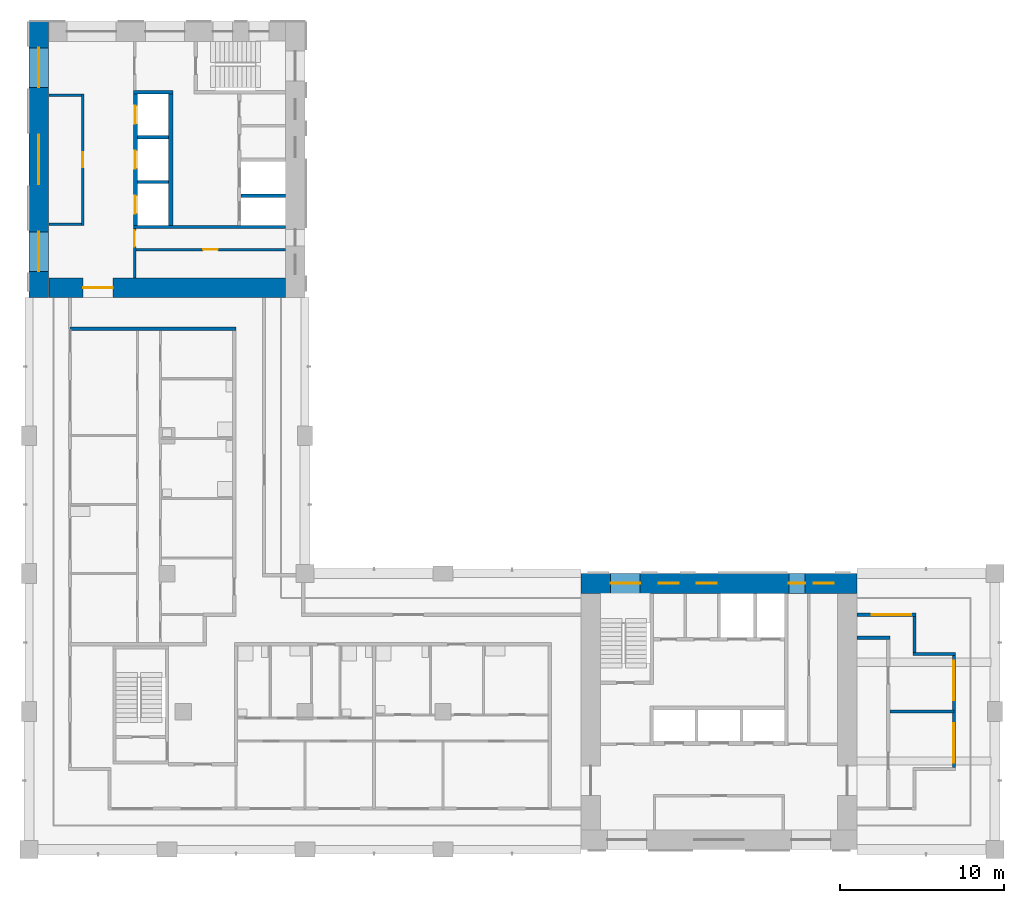
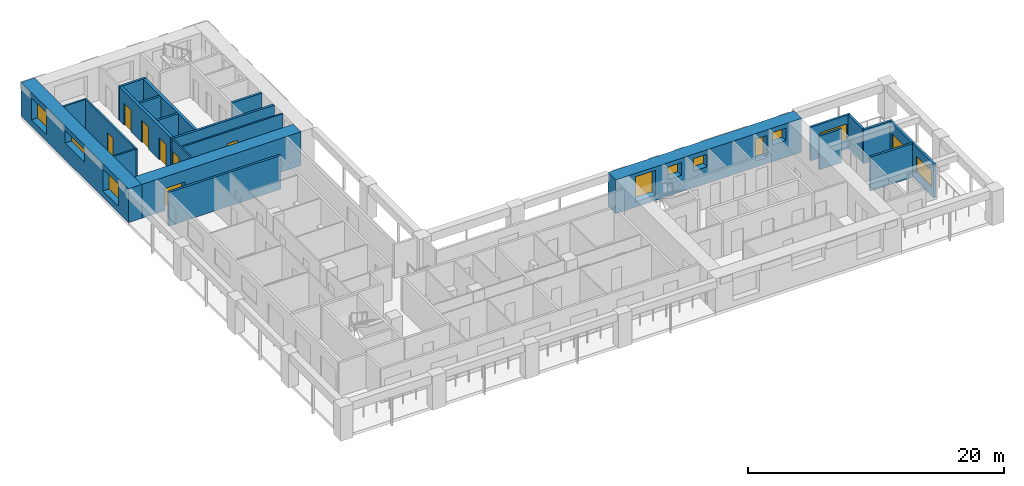
# One storey, part 5 of 10: 22 walls, 10 windows, 8 doors, 18 openings.
"""IFC4 building model written with IfcOpenShell, lengths in metres."""

from ifc_helpers import new_model, si_unit, direction, frame, frame_2d, origin, place, context, subcontext, project, spatial, rectangle, extrude, material, layer, layer_set, type_object, element, fill, save


model = new_model("IFC4")

# Units and contexts
model_context = context("Model", 3, precision=1e-05, world=origin(), true_north=direction((0.0, 1.0)))
body_context = subcontext(model_context, "Body", "Model", "MODEL_VIEW")
ifc_project = project(units=[si_unit("LENGTHUNIT", "METRE"), si_unit("AREAUNIT", "SQUARE_METRE"), si_unit("VOLUMEUNIT", "CUBIC_METRE"), si_unit("PLANEANGLEUNIT", "RADIAN"), si_unit("MASSUNIT", "GRAM", prefix="KILO")], contexts=[model_context])

# Site, building, storey
site_placement = place(None, origin())
site = spatial("IfcSite", under=ifc_project, at=site_placement, CompositionType="ELEMENT")
building_placement = place(site_placement, origin())
building = spatial("IfcBuilding", under=site, at=building_placement, Name="Vermilion Gate Residences", CompositionType="ELEMENT")
storey_placement = place(building_placement, frame((0.0, 0.0, 168.699951171875)))
storey = spatial("IfcBuildingStorey", under=building, at=storey_placement, Name="L43", CompositionType="ELEMENT", Elevation=168.699951171875)

# Walls
ifc_material_1 = material(Name="Masonry blockwork", Category="masonry")
ifc_layer_1 = layer(ifc_material_1, 0.14990234375)
ifc_layer_set_1 = layer_set([ifc_layer_1], Name="BLOCKWORK PARTITION 150 EI 120")
wall_type_1 = type_object("IfcWallType", Name="BLOCKWORK PARTITION 150 EI 120", PredefinedType="PARTITIONING", material=ifc_layer_set_1)
for number, where, z_axis, x_axis, name in (
    (1, (9.60009765625, 54.324951171875, 0.0), (0.0, 0.0, 1.0), (1.0, 0.0, 0.0), "Core room partition B43-RW-W"),
    (2, (9.60009765625, 46.47509765625, 0.0), (0.0, 0.0, 1.0), (1.0, 0.0, 0.0), "Core room partition B43-RW-E"),
):
    element("IfcWall", number, at=place(storey_placement, frame(where, z_axis=z_axis, x_axis=x_axis)), inside=storey, type_object=wall_type_1, Name=name, PredefinedType="PARTITIONING", context=body_context, shape_type="SweptSolid", body=[
        extrude(rectangle(XDim=2.0, YDim=0.14990234375, at=frame_2d((1.0, 0.0))), origin(), (0.0, 0.0, 1.0), 3.219970703125),
    ])

# Wall, opening, door
wall_1_placement = place(storey_placement, frame((11.675048828125, 54.39990234375, 0.0), z_axis=(0.0, 0.0, 1.0), x_axis=(0.0, -1.0, 0.0)))
wall_1 = element("IfcWall", 3, at=wall_1_placement, inside=storey, type_object=wall_type_1, Name="Core room partition B43-LR-F", PredefinedType="PARTITIONING", context=body_context, shape_type="SweptSolid", body=[
    extrude(rectangle(XDim=8.0, YDim=0.14990234375, at=frame_2d((4.0, 0.0))), origin(), (0.0, 0.0, 1.0), 3.219970703125),
])
opening_1_placement = place(wall_1_placement, frame((3.550048828125, 0.0, 0.0)))
opening_1 = element("IfcOpeningElement", 4, at=opening_1_placement, cuts=wall_1, Name="Opening DK43102", PredefinedType="OPENING", context=body_context, shape_type="SweptSolid", body=[
    extrude(rectangle(XDim=0.89990234375, YDim=2.10009765625, at=frame_2d((0.449951171875, 1.050048828125))), frame((0.0, 0.0849609375, 0.0), z_axis=(0.0, -1.0, 0.0), x_axis=(1.0, 0.0, 0.0)), (0.0, 0.0, 1.0), 0.169921875),
])
ifc_material_2 = material(Name="Steel", Category="steel")
door_type_1 = type_object("IfcDoorType", Name="SERVICE ROOM DOOR FD60 900 X 2100", OperationType="SINGLE_SWING_LEFT", PredefinedType="DOOR", material=ifc_material_2)
door_1_placement = place(opening_1_placement, frame((0.89990234375, 0.0, 0.0), z_axis=(0.0, 0.0, 1.0), x_axis=(-1.0, 0.0, 0.0)))
door_1 = element("IfcDoor", 5, at=door_1_placement, inside=storey, type_object=door_type_1, Name="Housekeeping store B43", OperationType="SINGLE_SWING_RIGHT", OverallHeight=2.10009765625, OverallWidth=0.89990234375, PredefinedType="DOOR", context=body_context, shape_type="SweptSolid", body=[
    extrude(rectangle(XDim=0.89990234375, YDim=2.10009765625, at=frame_2d((0.449951171875, 1.050048828125))), frame((0.0, 0.02490234375, 0.0), z_axis=(0.0, -1.0, 0.0), x_axis=(1.0, 0.0, 0.0)), (0.0, 0.0, 1.0), 0.050048828125),
])
fill(opening_1, door_1)

wall_2_placement = place(storey_placement, frame((14.824951171875, 46.199951171875, 0.0), z_axis=(0.0, 0.0, 1.0), x_axis=(0.0, -1.0, 0.0)))
wall_2 = element("IfcWall", 6, at=wall_2_placement, inside=storey, type_object=wall_type_1, Name="Core room partition B43-ES-S", PredefinedType="PARTITIONING", context=body_context, shape_type="SweptSolid", body=[
    extrude(rectangle(XDim=3.0, YDim=0.14990234375, at=frame_2d((1.5, 0.0))), origin(), (0.0, 0.0, 1.0), 3.219970703125),
])
opening_2_placement = place(wall_2_placement, frame((0.10009765625, 0.0, 0.0)))
opening_2 = element("IfcOpeningElement", 7, at=opening_2_placement, cuts=wall_2, Name="Opening DK43112", PredefinedType="OPENING", context=body_context, shape_type="SweptSolid", body=[
    extrude(rectangle(XDim=1.0, YDim=2.10009765625, at=frame_2d((0.5, 1.050048828125))), frame((0.0, 0.0849609375, 0.0), z_axis=(0.0, -1.0, 0.0), x_axis=(1.0, 0.0, 0.0)), (0.0, 0.0, 1.0), 0.169921875),
])
ifc_material_3 = material(Name="Steel", Category="steel")
door_type_2 = type_object("IfcDoorType", Name="FIRE DOOR FD60 1000 X 2100", OperationType="SINGLE_SWING_LEFT", PredefinedType="DOOR", material=ifc_material_3)
door_2_placement = place(opening_2_placement, frame((1.0, 0.0, 0.0), z_axis=(0.0, 0.0, 1.0), x_axis=(-1.0, 0.0, 0.0)))
door_2 = element("IfcDoor", 8, at=door_2_placement, inside=storey, type_object=door_type_2, Name="Service corridor door B43", OperationType="SINGLE_SWING_LEFT", OverallHeight=2.10009765625, OverallWidth=1.0, PredefinedType="DOOR", context=body_context, shape_type="SweptSolid", body=[
    extrude(rectangle(XDim=1.0, YDim=2.10009765625, at=frame_2d((0.5, 1.050048828125))), frame((0.0, 0.02490234375, 0.0), z_axis=(0.0, -1.0, 0.0), x_axis=(1.0, 0.0, 0.0)), (0.0, 0.0, 1.0), 0.050048828125),
])
fill(opening_2, door_2)

wall_3_placement = place(storey_placement, frame((14.89990234375, 44.925048828125, 0.0), z_axis=(0.0, 0.0, 1.0), x_axis=(1.0, 0.0, 0.0)))
wall_3 = element("IfcWall", 9, at=wall_3_placement, inside=storey, type_object=wall_type_1, Name="Core room partition B43-ES-W", PredefinedType="PARTITIONING", context=body_context, shape_type="SweptSolid", body=[
    extrude(rectangle(XDim=9.10009765625, YDim=0.14990234375, at=frame_2d((4.550048828125, 0.0))), origin(), (0.0, 0.0, 1.0), 3.219970703125),
])
opening_3_placement = place(wall_3_placement, frame((4.10009765625, 0.0, 0.0)))
opening_3 = element("IfcOpeningElement", 10, at=opening_3_placement, cuts=wall_3, Name="Opening DK43113", PredefinedType="OPENING", context=body_context, shape_type="SweptSolid", body=[
    extrude(rectangle(XDim=0.89990234375, YDim=2.10009765625, at=frame_2d((0.449951171875, 1.050048828125))), frame((0.0, 0.0849609375, 0.0), z_axis=(0.0, -1.0, 0.0), x_axis=(1.0, 0.0, 0.0)), (0.0, 0.0, 1.0), 0.169921875),
])
door_3_placement = place(opening_3_placement, frame((0.89990234375, 0.0, 0.0), z_axis=(0.0, 0.0, 1.0), x_axis=(-1.0, 0.0, 0.0)))
door_3 = element("IfcDoor", 11, at=door_3_placement, inside=storey, type_object=door_type_1, Name="Electrical room B43", OperationType="SINGLE_SWING_RIGHT", OverallHeight=2.10009765625, OverallWidth=0.89990234375, PredefinedType="DOOR", context=body_context, shape_type="SweptSolid", body=[
    extrude(rectangle(XDim=0.89990234375, YDim=2.10009765625, at=frame_2d((0.449951171875, 1.050048828125))), frame((0.0, 0.02490234375, 0.0), z_axis=(0.0, -1.0, 0.0), x_axis=(1.0, 0.0, 0.0)), (0.0, 0.0, 1.0), 0.050048828125),
])
fill(opening_3, door_3)

# Wall, openings, door, window
ifc_material_4 = material(Name="Insulated steel stud wall with terracotta rainscreen", Category="masonry")
ifc_layer_2 = layer(ifc_material_4, 0.199951171875)
ifc_layer_set_2 = layer_set([ifc_layer_2], Name="EXTERNAL WALL 200 TERRACOTTA RAINSCREEN")
wall_type_2 = type_object("IfcWallType", Name="EXTERNAL WALL 200 TERRACOTTA RAINSCREEN", PredefinedType="SOLIDWALL", material=ifc_layer_set_2)
wall_4_placement = place(storey_placement, frame((64.699951171875, 13.39990234375, 0.0), z_axis=(0.0, 0.0, 1.0), x_axis=(0.0, 1.0, 0.0)))
wall_4 = element("IfcWall", 12, at=wall_4_placement, inside=storey, type_object=wall_type_2, Name="External wall", PredefinedType="SOLIDWALL", context=body_context, shape_type="SweptSolid", body=[
    extrude(rectangle(XDim=6.800048828125, YDim=0.199951171875, at=frame_2d((3.39990234375, 0.0))), origin(), (0.0, 0.0, 1.0), 3.219970703125),
])
opening_4_placement = place(wall_4_placement, frame((0.300048828125, 0.0, 0.89990234375)))
opening_4 = element("IfcOpeningElement", 13, at=opening_4_placement, cuts=wall_4, Name="Opening WE43016", PredefinedType="OPENING", context=body_context, shape_type="SweptSolid", body=[
    extrude(rectangle(XDim=2.39990234375, YDim=1.5, at=frame_2d((1.199951171875, 0.75))), frame((0.0, 0.10986328125, 0.0), z_axis=(0.0, -1.0, 0.0), x_axis=(1.0, 0.0, 0.0)), (0.0, 0.0, 1.0), 0.219970703125),
])
opening_5_placement = place(wall_4_placement, frame((4.10009765625, 0.0, 0.0)))
opening_5 = element("IfcOpeningElement", 14, at=opening_5_placement, cuts=wall_4, Name="Opening DE43019", PredefinedType="OPENING", context=body_context, shape_type="SweptSolid", body=[
    extrude(rectangle(XDim=2.39990234375, YDim=2.199951171875, at=frame_2d((1.199951171875, 1.10009765625))), frame((0.0, 0.10986328125, 0.0), z_axis=(0.0, -1.0, 0.0), x_axis=(1.0, 0.0, 0.0)), (0.0, 0.0, 1.0), 0.219970703125),
])
ifc_material_5 = material(Name="Aluminium and clear glass", Category="aluminium")
door_type_3 = type_object("IfcDoorType", Name="SLIDING GLAZED DOOR 2400 X 2200", OperationType="DOUBLE_DOOR_SLIDING", PredefinedType="DOOR", material=ifc_material_5)
door_4_placement = place(opening_5_placement, origin())
door_4 = element("IfcDoor", 15, at=door_4_placement, inside=storey, type_object=door_type_3, Name="Loggia sliding door", OperationType="DOUBLE_DOOR_SLIDING", OverallHeight=2.199951171875, OverallWidth=2.39990234375, PredefinedType="DOOR", context=body_context, shape_type="SweptSolid", body=[
    extrude(rectangle(XDim=2.39990234375, YDim=2.199951171875, at=frame_2d((1.199951171875, 1.10009765625))), frame((0.0, 0.02490234375, 0.0), z_axis=(0.0, -1.0, 0.0), x_axis=(1.0, 0.0, 0.0)), (0.0, 0.0, 1.0), 0.050048828125),
])
fill(opening_5, door_4)
ifc_material_6 = material(Name="Aluminium and clear glass", Category="aluminium")
window_type_1 = type_object("IfcWindowType", Name="WINDOW 2400 X 1500", PartitioningType="SINGLE_PANEL", PredefinedType="WINDOW", material=ifc_material_6)
window_1_placement = place(opening_4_placement, origin())
window_1 = element("IfcWindow", 16, at=window_1_placement, inside=storey, type_object=window_type_1, Name="Window", OverallHeight=1.5, OverallWidth=2.39990234375, PartitioningType="SINGLE_PANEL", PredefinedType="WINDOW", context=body_context, shape_type="SweptSolid", body=[
    extrude(rectangle(XDim=2.39990234375, YDim=1.5, at=frame_2d((1.199951171875, 0.75))), frame((0.0, 0.030029296875, 0.0), z_axis=(0.0, -1.0, 0.0), x_axis=(1.0, 0.0, 0.0)), (0.0, 0.0, 1.0), 0.06005859375),
])
fill(opening_4, window_1)

# Walls
wall_5_placement = place(storey_placement, frame((64.800048828125, 20.300048828125, 0.0), z_axis=(0.0, 0.0, 1.0), x_axis=(-1.0, 0.0, 0.0)))
element("IfcWall", 17, at=wall_5_placement, inside=storey, type_object=wall_type_2, Name="External wall", PredefinedType="SOLIDWALL", context=body_context, shape_type="SweptSolid", body=[
    extrude(rectangle(XDim=2.60009765625, YDim=0.199951171875, at=frame_2d((1.300048828125, 0.0))), origin(), (0.0, 0.0, 1.0), 3.219970703125),
])
wall_6_placement = place(storey_placement, frame((62.300048828125, 20.39990234375, 0.0), z_axis=(0.0, 0.0, 1.0), x_axis=(0.0, 1.0, 0.0)))
element("IfcWall", 18, at=wall_6_placement, inside=storey, type_object=wall_type_2, Name="External wall", PredefinedType="SOLIDWALL", context=body_context, shape_type="SweptSolid", body=[
    extrude(rectangle(XDim=2.2001953125, YDim=0.199951171875, at=frame_2d((1.10009765625, 0.0))), origin(), (0.0, 0.0, 1.0), 3.219970703125),
])

# Wall, opening, window
wall_7_placement = place(storey_placement, frame((62.39990234375, 22.699951171875, 0.0), z_axis=(0.0, 0.0, 1.0), x_axis=(-1.0, 0.0, 0.0)))
wall_7 = element("IfcWall", 19, at=wall_7_placement, inside=storey, type_object=wall_type_2, Name="External wall", PredefinedType="SOLIDWALL", context=body_context, shape_type="SweptSolid", body=[
    extrude(rectangle(XDim=3.599853515625, YDim=0.199951171875, at=frame_2d((1.7998046875, 0.0))), origin(), (0.0, 0.0, 1.0), 3.219970703125),
])
opening_6_placement = place(wall_7_placement, frame((0.300048828125, 0.0, 0.89990234375)))
opening_6 = element("IfcOpeningElement", 20, at=opening_6_placement, cuts=wall_7, Name="Opening WE43018", PredefinedType="OPENING", context=body_context, shape_type="SweptSolid", body=[
    extrude(rectangle(XDim=2.39990234375, YDim=1.5, at=frame_2d((1.199951171875, 0.75))), frame((0.0, 0.10986328125, 0.0), z_axis=(0.0, -1.0, 0.0), x_axis=(1.0, 0.0, 0.0)), (0.0, 0.0, 1.0), 0.219970703125),
])
window_2_placement = place(opening_6_placement, origin())
window_2 = element("IfcWindow", 21, at=window_2_placement, inside=storey, type_object=window_type_1, Name="Window", OverallHeight=1.5, OverallWidth=2.39990234375, PartitioningType="SINGLE_PANEL", PredefinedType="WINDOW", context=body_context, shape_type="SweptSolid", body=[
    extrude(rectangle(XDim=2.39990234375, YDim=1.5, at=frame_2d((1.199951171875, 0.75))), frame((0.0, 0.030029296875, 0.0), z_axis=(0.0, -1.0, 0.0), x_axis=(1.0, 0.0, 0.0)), (0.0, 0.0, 1.0), 0.06005859375),
])
fill(opening_6, window_2)

# Walls
ifc_material_7 = material(Name="Fire-rated plasterboard on steel studs", Category="steel")
ifc_layer_3 = layer(ifc_material_7, 0.199951171875)
ifc_layer_set_3 = layer_set([ifc_layer_3], Name="PARTY WALL 200 EI 120")
wall_type_3 = type_object("IfcWallType", Name="PARTY WALL 200 EI 120", PredefinedType="PARTITIONING", material=ifc_layer_set_3)
wall_8_placement = place(storey_placement, frame((60.800048828125, 16.800048828125, 0.0), z_axis=(0.0, 0.0, 1.0), x_axis=(1.0, 0.0, 0.0)))
element("IfcWall", 22, at=wall_8_placement, inside=storey, type_object=wall_type_3, Name="Party and corridor wall", PredefinedType="PARTITIONING", context=body_context, shape_type="SweptSolid", body=[
    extrude(rectangle(XDim=3.89990234375, YDim=0.199951171875, at=frame_2d((1.949951171875, 0.0))), origin(), (0.0, 0.0, 1.0), 3.219970703125),
])
wall_9_placement = place(storey_placement, frame((58.800048828125, 21.300048828125, 0.0), z_axis=(0.0, 0.0, 1.0), x_axis=(1.0, 0.0, 0.0)))
element("IfcWall", 23, at=wall_9_placement, inside=storey, type_object=wall_type_3, Name="Party and corridor wall", PredefinedType="PARTITIONING", context=body_context, shape_type="SweptSolid", body=[
    extrude(rectangle(XDim=2.0, YDim=0.199951171875, at=frame_2d((1.0, 0.0))), origin(), (0.0, 0.0, 1.0), 3.219970703125),
])
wall_10_placement = place(storey_placement, frame((10.89990234375, 40.10009765625, 0.0), z_axis=(0.0, 0.0, 1.0), x_axis=(1.0, 0.0, 0.0)))
element("IfcWall", 24, at=wall_10_placement, inside=storey, type_object=wall_type_3, Name="Party and corridor wall", PredefinedType="PARTITIONING", context=body_context, shape_type="SweptSolid", body=[
    extrude(rectangle(XDim=10.10009765625, YDim=0.199951171875, at=frame_2d((5.050048828125, 0.0))), origin(), (0.0, 0.0, 1.0), 3.219970703125),
])
ifc_material_8 = material(Name="Concrete C60", Category="concrete")
ifc_layer_4 = layer(ifc_material_8, 0.199951171875)
ifc_layer_set_4 = layer_set([ifc_layer_4], Name="RC CORE INTERNAL WALL 200 C60")
wall_type_4 = type_object("IfcWallType", Name="RC CORE INTERNAL WALL 200 C60", PredefinedType="SHEAR", material=ifc_layer_set_4)
for number, where, z_axis, x_axis, name in (
    (25, (15.0, 51.7666015625, 0.0), (0.0, 0.0, 1.0), (1.0, 0.0, 0.0), "Core internal wall B43-HR-D1"),
    (26, (15.0, 49.033447265625, 0.0), (0.0, 0.0, 1.0), (1.0, 0.0, 0.0), "Core internal wall B43-HR-D2"),
):
    element("IfcWall", number, at=place(storey_placement, frame(where, z_axis=z_axis, x_axis=x_axis)), inside=storey, type_object=wall_type_4, Name=name, PredefinedType="SHEAR", context=body_context, shape_type="SweptSolid", body=[
        extrude(rectangle(XDim=1.89990234375, YDim=0.199951171875, at=frame_2d((0.949951171875, 0.0))), origin(), (0.0, 0.0, 1.0), 3.219970703125),
    ])
wall_11_placement = place(storey_placement, frame((21.300048828125, 48.199951171875, 0.0), z_axis=(0.0, 0.0, 1.0), x_axis=(1.0, 0.0, 0.0)))
element("IfcWall", 27, at=wall_11_placement, inside=storey, type_object=wall_type_4, Name="Core internal wall B43-FF-D1", PredefinedType="SHEAR", context=body_context, shape_type="SweptSolid", body=[
    extrude(rectangle(XDim=2.699951171875, YDim=0.199951171875, at=frame_2d((1.35009765625, 0.0))), origin(), (0.0, 0.0, 1.0), 3.219970703125),
])
wall_12_placement = place(storey_placement, frame((14.75, 54.5, 0.0), z_axis=(0.0, 0.0, 1.0), x_axis=(1.0, 0.0, 0.0)))
element("IfcWall", 28, at=wall_12_placement, inside=storey, type_object=wall_type_4, Name="Core internal wall B43-WDIV1", PredefinedType="SHEAR", context=body_context, shape_type="SweptSolid", body=[
    extrude(rectangle(XDim=2.39990234375, YDim=0.199951171875, at=frame_2d((1.199951171875, 0.0))), origin(), (0.0, 0.0, 1.0), 3.219970703125),
])
wall_13_placement = place(storey_placement, frame((14.75, 46.300048828125, 0.0), z_axis=(0.0, 0.0, 1.0), x_axis=(1.0, 0.0, 0.0)))
element("IfcWall", 29, at=wall_13_placement, inside=storey, type_object=wall_type_4, Name="Core internal wall B43-EDIV", PredefinedType="SHEAR", context=body_context, shape_type="SweptSolid", body=[
    extrude(rectangle(XDim=9.25, YDim=0.199951171875, at=frame_2d((4.625, 0.0))), origin(), (0.0, 0.0, 1.0), 3.219970703125),
])

# Wall, opening, door
ifc_material_9 = material(Name="Concrete C60", Category="concrete")
ifc_layer_5 = layer(ifc_material_9, 1.199951171875)
ifc_layer_set_5 = layer_set([ifc_layer_5], Name="RC CORE WALL 1200 C60")
wall_type_5 = type_object("IfcWallType", Name="RC CORE WALL 1200 C60", PredefinedType="SHEAR", material=ifc_layer_set_5)
wall_14_placement = place(storey_placement, frame((9.60009765625, 42.60009765625, 0.0), z_axis=(0.0, 0.0, 1.0), x_axis=(1.0, 0.0, 0.0)))
wall_14 = element("IfcWall", 30, at=wall_14_placement, inside=storey, type_object=wall_type_5, Name="Core wall B43-OUT-BK", PredefinedType="SHEAR", context=body_context, shape_type="SweptSolid", body=[
    extrude(rectangle(XDim=14.39990234375, YDim=1.199951171875, at=frame_2d((7.199951171875, 0.0))), origin(), (0.0, 0.0, 1.0), 3.219970703125),
])
opening_7_placement = place(wall_14_placement, frame((2.10009765625, 0.0, 0.0)))
opening_7 = element("IfcOpeningElement", 31, at=opening_7_placement, cuts=wall_14, Name="Opening DK43101", PredefinedType="OPENING", context=body_context, shape_type="SweptSolid", body=[
    extrude(rectangle(XDim=1.800048828125, YDim=2.10009765625, at=frame_2d((0.89990234375, 1.050048828125))), frame((0.0, 0.60986328125, 0.0), z_axis=(0.0, -1.0, 0.0), x_axis=(1.0, 0.0, 0.0)), (0.0, 0.0, 1.0), 1.219970703125),
])
ifc_material_10 = material(Name="Steel", Category="steel")
door_type_4 = type_object("IfcDoorType", Name="CORE LOBBY DOOR FD60 1800 X 2100", OperationType="DOUBLE_DOOR_SINGLE_SWING", PredefinedType="DOOR", material=ifc_material_10)
door_5_placement = place(opening_7_placement, frame((1.800048828125, 0.0, 0.0), z_axis=(0.0, 0.0, 1.0), x_axis=(-1.0, 0.0, 0.0)))
door_5 = element("IfcDoor", 32, at=door_5_placement, inside=storey, type_object=door_type_4, Name="Core lobby door B43", OperationType="DOUBLE_DOOR_SINGLE_SWING", OverallHeight=2.10009765625, OverallWidth=1.800048828125, PredefinedType="DOOR", context=body_context, shape_type="SweptSolid", body=[
    extrude(rectangle(XDim=1.800048828125, YDim=2.10009765625, at=frame_2d((0.89990234375, 1.050048828125))), frame((0.0, 0.02490234375, 0.0), z_axis=(0.0, -1.0, 0.0), x_axis=(1.0, 0.0, 0.0)), (0.0, 0.0, 1.0), 0.050048828125),
])
fill(opening_7, door_5)

# Wall, openings, windows
ifc_material_11 = material(Name="Concrete C60 red-oxide pigmented", Category="concrete")
ifc_layer_6 = layer(ifc_material_11, 1.199951171875)
ifc_layer_set_6 = layer_set([ifc_layer_6], Name="RC CORE WALL 1200 C60 RED OXIDE")
wall_type_6 = type_object("IfcWallType", Name="RC CORE WALL 1200 C60 RED OXIDE", PredefinedType="SHEAR", material=ifc_layer_set_6)
wall_15_placement = place(storey_placement, frame((42.0, 24.60009765625, 0.0), z_axis=(0.0, 0.0, 1.0), x_axis=(1.0, 0.0, 0.0)))
wall_15 = element("IfcWall", 33, at=wall_15_placement, inside=storey, type_object=wall_type_6, Name="Core wall A43-OUT-B1", PredefinedType="SHEAR", context=body_context, shape_type="SweptSolid", body=[
    extrude(rectangle(XDim=16.800048828125, YDim=1.199951171875, at=frame_2d((8.39990234375, 0.0))), origin(), (0.0, 0.0, 1.0), 3.219970703125),
])
opening_8_placement = place(wall_15_placement, frame((1.800048828125, 0.0, 0.5)))
opening_8 = element("IfcOpeningElement", 34, at=opening_8_placement, cuts=wall_15, Name="Opening WKA4304", PredefinedType="OPENING", context=body_context, shape_type="SweptSolid", body=[
    extrude(rectangle(XDim=1.800048828125, YDim=2.39990234375, at=frame_2d((0.89990234375, 1.199951171875))), frame((0.0, 0.60986328125, 0.0), z_axis=(0.0, -1.0, 0.0), x_axis=(1.0, 0.0, 0.0)), (0.0, 0.0, 1.0), 1.219970703125),
])
opening_9_placement = place(wall_15_placement, frame((4.737548828125, 0.0, 1.60009765625)))
opening_9 = element("IfcOpeningElement", 35, at=opening_9_placement, cuts=wall_15, Name="Opening WKA4305", PredefinedType="OPENING", context=body_context, shape_type="SweptSolid", body=[
    extrude(rectangle(XDim=1.199951171875, YDim=1.199951171875, at=frame_2d((0.60009765625, 0.60009765625))), frame((0.0, 0.60986328125, 0.0), z_axis=(0.0, -1.0, 0.0), x_axis=(1.0, 0.0, 0.0)), (0.0, 0.0, 1.0), 1.219970703125),
])
opening_10_placement = place(wall_15_placement, frame((7.050048828125, 0.0, 1.60009765625)))
opening_10 = element("IfcOpeningElement", 36, at=opening_10_placement, cuts=wall_15, Name="Opening WKA4306", PredefinedType="OPENING", context=body_context, shape_type="SweptSolid", body=[
    extrude(rectangle(XDim=1.199951171875, YDim=1.199951171875, at=frame_2d((0.60009765625, 0.60009765625))), frame((0.0, 0.60986328125, 0.0), z_axis=(0.0, -1.0, 0.0), x_axis=(1.0, 0.0, 0.0)), (0.0, 0.0, 1.0), 1.219970703125),
])
opening_11_placement = place(wall_15_placement, frame((12.64990234375, 0.0, 0.60009765625)))
opening_11 = element("IfcOpeningElement", 37, at=opening_11_placement, cuts=wall_15, Name="Opening WKA4307", PredefinedType="OPENING", context=body_context, shape_type="SweptSolid", body=[
    extrude(rectangle(XDim=1.0, YDim=2.10009765625, at=frame_2d((0.5, 1.050048828125))), frame((0.0, 0.60986328125, 0.0), z_axis=(0.0, -1.0, 0.0), x_axis=(1.0, 0.0, 0.0)), (0.0, 0.0, 1.0), 1.219970703125),
])
opening_12_placement = place(wall_15_placement, frame((14.175048828125, 0.0, 1.60009765625)))
opening_12 = element("IfcOpeningElement", 38, at=opening_12_placement, cuts=wall_15, Name="Opening WKA4308", PredefinedType="OPENING", context=body_context, shape_type="SweptSolid", body=[
    extrude(rectangle(XDim=1.199951171875, YDim=1.199951171875, at=frame_2d((0.60009765625, 0.60009765625))), frame((0.0, 0.60986328125, 0.0), z_axis=(0.0, -1.0, 0.0), x_axis=(1.0, 0.0, 0.0)), (0.0, 0.0, 1.0), 1.219970703125),
])
ifc_material_12 = material(Name="Aluminium and clear glass", Category="aluminium")
window_type_2 = type_object("IfcWindowType", Name="CORE CORRIDOR WINDOW 1000 X 2100", PartitioningType="SINGLE_PANEL", PredefinedType="WINDOW", material=ifc_material_12)
window_3_placement = place(opening_11_placement, origin())
window_3 = element("IfcWindow", 39, at=window_3_placement, inside=storey, type_object=window_type_2, Name="Core corridor window", OverallHeight=2.10009765625, OverallWidth=1.0, PartitioningType="SINGLE_PANEL", PredefinedType="WINDOW", context=body_context, shape_type="SweptSolid", body=[
    extrude(rectangle(XDim=1.0, YDim=2.10009765625, at=frame_2d((0.5, 1.050048828125))), frame((0.0, 0.030029296875, 0.0), z_axis=(0.0, -1.0, 0.0), x_axis=(1.0, 0.0, 0.0)), (0.0, 0.0, 1.0), 0.06005859375),
])
fill(opening_11, window_3)
ifc_material_13 = material(Name="Aluminium frame with louvre blades", Category="aluminium")
window_type_3 = type_object("IfcWindowType", Name="CORE LOUVRE 1200 X 1200", PartitioningType="SINGLE_PANEL", PredefinedType="WINDOW", material=ifc_material_13)
window_4_placement = place(opening_9_placement, origin())
window_4 = element("IfcWindow", 40, at=window_4_placement, inside=storey, type_object=window_type_3, Name="Core louvre", OverallHeight=1.199951171875, OverallWidth=1.199951171875, PartitioningType="SINGLE_PANEL", PredefinedType="WINDOW", context=body_context, shape_type="SweptSolid", body=[
    extrude(rectangle(XDim=1.199951171875, YDim=1.199951171875, at=frame_2d((0.60009765625, 0.60009765625))), frame((0.0, 0.030029296875, 0.0), z_axis=(0.0, -1.0, 0.0), x_axis=(1.0, 0.0, 0.0)), (0.0, 0.0, 1.0), 0.06005859375),
])
fill(opening_9, window_4)
window_5_placement = place(opening_10_placement, origin())
window_5 = element("IfcWindow", 41, at=window_5_placement, inside=storey, type_object=window_type_3, Name="Core louvre", OverallHeight=1.199951171875, OverallWidth=1.199951171875, PartitioningType="SINGLE_PANEL", PredefinedType="WINDOW", context=body_context, shape_type="SweptSolid", body=[
    extrude(rectangle(XDim=1.199951171875, YDim=1.199951171875, at=frame_2d((0.60009765625, 0.60009765625))), frame((0.0, 0.030029296875, 0.0), z_axis=(0.0, -1.0, 0.0), x_axis=(1.0, 0.0, 0.0)), (0.0, 0.0, 1.0), 0.06005859375),
])
fill(opening_10, window_5)
window_6_placement = place(opening_12_placement, origin())
window_6 = element("IfcWindow", 42, at=window_6_placement, inside=storey, type_object=window_type_3, Name="Core louvre", OverallHeight=1.199951171875, OverallWidth=1.199951171875, PartitioningType="SINGLE_PANEL", PredefinedType="WINDOW", context=body_context, shape_type="SweptSolid", body=[
    extrude(rectangle(XDim=1.199951171875, YDim=1.199951171875, at=frame_2d((0.60009765625, 0.60009765625))), frame((0.0, 0.030029296875, 0.0), z_axis=(0.0, -1.0, 0.0), x_axis=(1.0, 0.0, 0.0)), (0.0, 0.0, 1.0), 0.06005859375),
])
fill(opening_12, window_6)
ifc_material_14 = material(Name="Aluminium and clear glass", Category="aluminium")
window_type_4 = type_object("IfcWindowType", Name="CORE STAIR WINDOW 1800 X 2400", PartitioningType="SINGLE_PANEL", PredefinedType="WINDOW", material=ifc_material_14)
window_7_placement = place(opening_8_placement, origin())
window_7 = element("IfcWindow", 43, at=window_7_placement, inside=storey, type_object=window_type_4, Name="Core stair window", OverallHeight=2.39990234375, OverallWidth=1.800048828125, PartitioningType="SINGLE_PANEL", PredefinedType="WINDOW", context=body_context, shape_type="SweptSolid", body=[
    extrude(rectangle(XDim=1.800048828125, YDim=2.39990234375, at=frame_2d((0.89990234375, 1.199951171875))), frame((0.0, 0.030029296875, 0.0), z_axis=(0.0, -1.0, 0.0), x_axis=(1.0, 0.0, 0.0)), (0.0, 0.0, 1.0), 0.06005859375),
])
fill(opening_8, window_7)

wall_16_placement = place(storey_placement, frame((9.0, 58.800048828125, 0.0), z_axis=(0.0, 0.0, 1.0), x_axis=(0.0, -1.0, 0.0)))
wall_16 = element("IfcWall", 44, at=wall_16_placement, inside=storey, type_object=wall_type_6, Name="Core wall B43-OUT-B0", PredefinedType="SHEAR", context=body_context, shape_type="SweptSolid", body=[
    extrude(rectangle(XDim=16.800048828125, YDim=1.199951171875, at=frame_2d((8.39990234375, 0.0))), origin(), (0.0, 0.0, 1.0), 3.219970703125),
])
opening_13_placement = place(wall_16_placement, frame((1.60009765625, 0.0, 0.60009765625)))
opening_13 = element("IfcOpeningElement", 45, at=opening_13_placement, cuts=wall_16, Name="Opening WKB4301", PredefinedType="OPENING", context=body_context, shape_type="SweptSolid", body=[
    extrude(rectangle(XDim=2.39990234375, YDim=2.10009765625, at=frame_2d((1.199951171875, 1.050048828125))), frame((0.0, 0.60986328125, 0.0), z_axis=(0.0, -1.0, 0.0), x_axis=(1.0, 0.0, 0.0)), (0.0, 0.0, 1.0), 1.219970703125),
])
opening_14_placement = place(wall_16_placement, frame((6.89990234375, 0.0, 1.60009765625)))
opening_14 = element("IfcOpeningElement", 46, at=opening_14_placement, cuts=wall_16, Name="Opening WKB4302", PredefinedType="OPENING", context=body_context, shape_type="SweptSolid", body=[
    extrude(rectangle(XDim=3.0, YDim=1.199951171875, at=frame_2d((1.5, 0.60009765625))), frame((0.0, 0.60986328125, 0.0), z_axis=(0.0, -1.0, 0.0), x_axis=(1.0, 0.0, 0.0)), (0.0, 0.0, 1.0), 1.219970703125),
])
opening_15_placement = place(wall_16_placement, frame((12.800048828125, 0.0, 0.60009765625)))
opening_15 = element("IfcOpeningElement", 47, at=opening_15_placement, cuts=wall_16, Name="Opening WKB4303", PredefinedType="OPENING", context=body_context, shape_type="SweptSolid", body=[
    extrude(rectangle(XDim=2.39990234375, YDim=2.10009765625, at=frame_2d((1.199951171875, 1.050048828125))), frame((0.0, 0.60986328125, 0.0), z_axis=(0.0, -1.0, 0.0), x_axis=(1.0, 0.0, 0.0)), (0.0, 0.0, 1.0), 1.219970703125),
])
ifc_material_15 = material(Name="Aluminium and clear glass", Category="aluminium")
window_type_5 = type_object("IfcWindowType", Name="CORE LOBBY WINDOW 2400 X 2100", PartitioningType="SINGLE_PANEL", PredefinedType="WINDOW", material=ifc_material_15)
window_8_placement = place(opening_13_placement, origin())
window_8 = element("IfcWindow", 48, at=window_8_placement, inside=storey, type_object=window_type_5, Name="Core lobby window", OverallHeight=2.10009765625, OverallWidth=2.39990234375, PartitioningType="SINGLE_PANEL", PredefinedType="WINDOW", context=body_context, shape_type="SweptSolid", body=[
    extrude(rectangle(XDim=2.39990234375, YDim=2.10009765625, at=frame_2d((1.199951171875, 1.050048828125))), frame((0.0, 0.030029296875, 0.0), z_axis=(0.0, -1.0, 0.0), x_axis=(1.0, 0.0, 0.0)), (0.0, 0.0, 1.0), 0.06005859375),
])
fill(opening_13, window_8)
window_9_placement = place(opening_15_placement, origin())
window_9 = element("IfcWindow", 49, at=window_9_placement, inside=storey, type_object=window_type_5, Name="Core lobby window", OverallHeight=2.10009765625, OverallWidth=2.39990234375, PartitioningType="SINGLE_PANEL", PredefinedType="WINDOW", context=body_context, shape_type="SweptSolid", body=[
    extrude(rectangle(XDim=2.39990234375, YDim=2.10009765625, at=frame_2d((1.199951171875, 1.050048828125))), frame((0.0, 0.030029296875, 0.0), z_axis=(0.0, -1.0, 0.0), x_axis=(1.0, 0.0, 0.0)), (0.0, 0.0, 1.0), 0.06005859375),
])
fill(opening_15, window_9)
ifc_material_16 = material(Name="Aluminium frame with louvre blades", Category="aluminium")
window_type_6 = type_object("IfcWindowType", Name="CORE LOUVRE 3000 X 1200", PartitioningType="SINGLE_PANEL", PredefinedType="WINDOW", material=ifc_material_16)
window_10_placement = place(opening_14_placement, origin())
window_10 = element("IfcWindow", 50, at=window_10_placement, inside=storey, type_object=window_type_6, Name="Core louvre", OverallHeight=1.199951171875, OverallWidth=3.0, PartitioningType="SINGLE_PANEL", PredefinedType="WINDOW", context=body_context, shape_type="SweptSolid", body=[
    extrude(rectangle(XDim=3.0, YDim=1.199951171875, at=frame_2d((1.5, 0.60009765625))), frame((0.0, 0.030029296875, 0.0), z_axis=(0.0, -1.0, 0.0), x_axis=(1.0, 0.0, 0.0)), (0.0, 0.0, 1.0), 0.06005859375),
])
fill(opening_14, window_10)

# Wall, openings, doors
ifc_material_17 = material(Name="Concrete C60", Category="concrete")
ifc_layer_7 = layer(ifc_material_17, 0.25)
ifc_layer_set_7 = layer_set([ifc_layer_7], Name="RC LIFT SHAFT WALL 250 C60")
wall_type_7 = type_object("IfcWallType", Name="RC LIFT SHAFT WALL 250 C60", PredefinedType="SHEAR", material=ifc_layer_set_7)
wall_17_placement = place(storey_placement, frame((14.875, 54.39990234375, 0.0), z_axis=(0.0, 0.0, 1.0), x_axis=(0.0, -1.0, 0.0)))
wall_17 = element("IfcWall", 51, at=wall_17_placement, inside=storey, type_object=wall_type_7, Name="Lift shaft wall B43-HR-F", PredefinedType="SHEAR", context=body_context, shape_type="SweptSolid", body=[
    extrude(rectangle(XDim=8.0, YDim=0.25, at=frame_2d((4.0, 0.0))), origin(), (0.0, 0.0, 1.0), 3.219970703125),
])
opening_16_placement = place(wall_17_placement, frame((0.716552734375, 0.0, 0.0)))
opening_16 = element("IfcOpeningElement", 52, at=opening_16_placement, cuts=wall_17, Name="Opening LD", PredefinedType="OPENING", context=body_context, shape_type="SweptSolid", body=[
    extrude(rectangle(XDim=1.10009765625, YDim=2.10009765625, at=frame_2d((0.550048828125, 1.050048828125))), frame((0.0, 0.135009765625, 0.0), z_axis=(0.0, -1.0, 0.0), x_axis=(1.0, 0.0, 0.0)), (0.0, 0.0, 1.0), 0.27001953125),
])
opening_17_placement = place(wall_17_placement, frame((3.449951171875, 0.0, 0.0)))
opening_17 = element("IfcOpeningElement", 53, at=opening_17_placement, cuts=wall_17, Name="Opening LD", PredefinedType="OPENING", context=body_context, shape_type="SweptSolid", body=[
    extrude(rectangle(XDim=1.10009765625, YDim=2.10009765625, at=frame_2d((0.550048828125, 1.050048828125))), frame((0.0, 0.135009765625, 0.0), z_axis=(0.0, -1.0, 0.0), x_axis=(1.0, 0.0, 0.0)), (0.0, 0.0, 1.0), 0.27001953125),
])
opening_18_placement = place(wall_17_placement, frame((6.183349609375, 0.0, 0.0)))
opening_18 = element("IfcOpeningElement", 54, at=opening_18_placement, cuts=wall_17, Name="Opening LD", PredefinedType="OPENING", context=body_context, shape_type="SweptSolid", body=[
    extrude(rectangle(XDim=1.10009765625, YDim=2.10009765625, at=frame_2d((0.550048828125, 1.050048828125))), frame((0.0, 0.135009765625, 0.0), z_axis=(0.0, -1.0, 0.0), x_axis=(1.0, 0.0, 0.0)), (0.0, 0.0, 1.0), 0.27001953125),
])
ifc_material_18 = material(Name="Stainless steel", Category="steel")
door_type_5 = type_object("IfcDoorType", Name="LIFT LANDING DOOR E60 1100 X 2100", OperationType="DOUBLE_DOOR_SLIDING", PredefinedType="DOOR", material=ifc_material_18)
door_6_placement = place(opening_16_placement, origin())
door_6 = element("IfcDoor", 55, at=door_6_placement, inside=storey, type_object=door_type_5, Name="Lift landing door HRB1", OperationType="DOUBLE_DOOR_SLIDING", OverallHeight=2.10009765625, OverallWidth=1.10009765625, PredefinedType="DOOR", context=body_context, shape_type="SweptSolid", body=[
    extrude(rectangle(XDim=1.10009765625, YDim=2.10009765625, at=frame_2d((0.550048828125, 1.050048828125))), frame((0.0, 0.02490234375, 0.0), z_axis=(0.0, -1.0, 0.0), x_axis=(1.0, 0.0, 0.0)), (0.0, 0.0, 1.0), 0.050048828125),
])
fill(opening_16, door_6)
door_7_placement = place(opening_17_placement, origin())
door_7 = element("IfcDoor", 56, at=door_7_placement, inside=storey, type_object=door_type_5, Name="Lift landing door HRB2", OperationType="DOUBLE_DOOR_SLIDING", OverallHeight=2.10009765625, OverallWidth=1.10009765625, PredefinedType="DOOR", context=body_context, shape_type="SweptSolid", body=[
    extrude(rectangle(XDim=1.10009765625, YDim=2.10009765625, at=frame_2d((0.550048828125, 1.050048828125))), frame((0.0, 0.02490234375, 0.0), z_axis=(0.0, -1.0, 0.0), x_axis=(1.0, 0.0, 0.0)), (0.0, 0.0, 1.0), 0.050048828125),
])
fill(opening_17, door_7)
door_8_placement = place(opening_18_placement, origin())
door_8 = element("IfcDoor", 57, at=door_8_placement, inside=storey, type_object=door_type_5, Name="Lift landing door HRB3", OperationType="DOUBLE_DOOR_SLIDING", OverallHeight=2.10009765625, OverallWidth=1.10009765625, PredefinedType="DOOR", context=body_context, shape_type="SweptSolid", body=[
    extrude(rectangle(XDim=1.10009765625, YDim=2.10009765625, at=frame_2d((0.550048828125, 1.050048828125))), frame((0.0, 0.02490234375, 0.0), z_axis=(0.0, -1.0, 0.0), x_axis=(1.0, 0.0, 0.0)), (0.0, 0.0, 1.0), 0.050048828125),
])
fill(opening_18, door_8)

# Wall
wall_18_placement = place(storey_placement, frame((17.02490234375, 54.39990234375, 0.0), z_axis=(0.0, 0.0, 1.0), x_axis=(0.0, -1.0, 0.0)))
element("IfcWall", 58, at=wall_18_placement, inside=storey, type_object=wall_type_7, Name="Lift shaft wall B43-HR-B", PredefinedType="SHEAR", context=body_context, shape_type="SweptSolid", body=[
    extrude(rectangle(XDim=8.0, YDim=0.25, at=frame_2d((4.0, 0.0))), origin(), (0.0, 0.0, 1.0), 3.219970703125),
])

save(model, "model.ifc")
